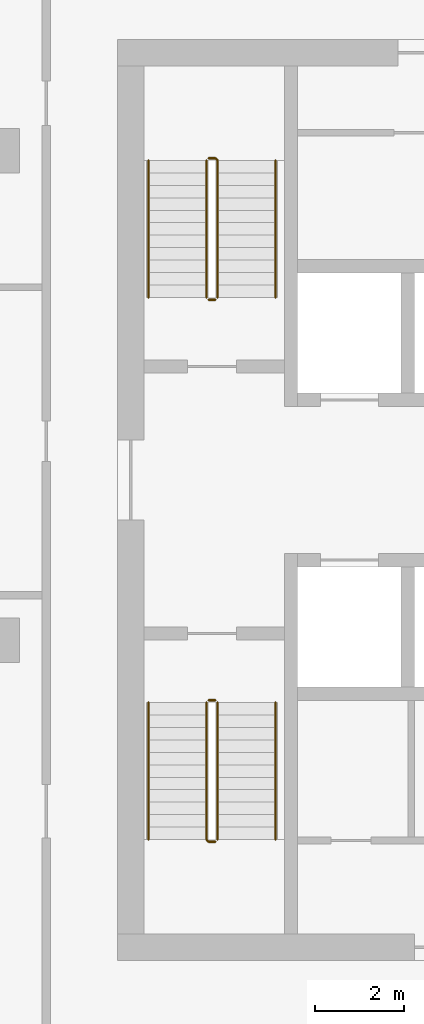
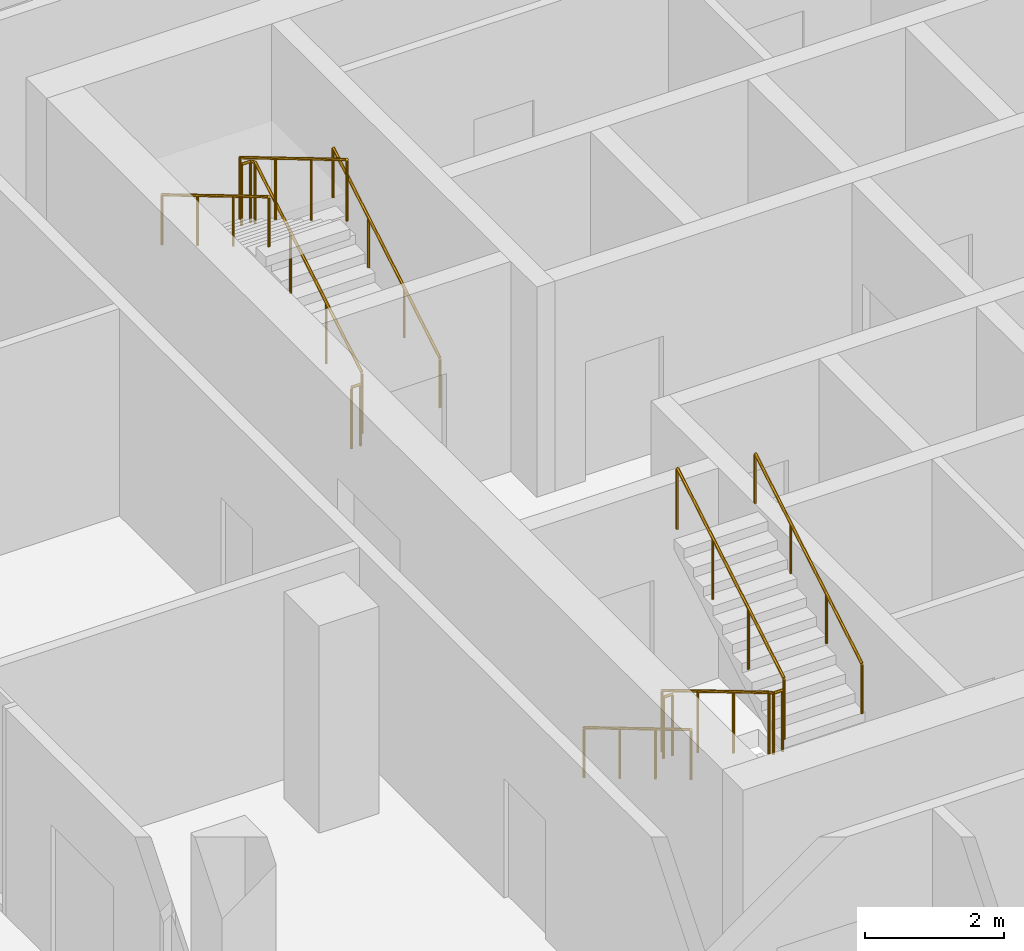
# One storey, part 10 of 12: 10 railings.
"""IFC4 building model written with IfcOpenShell, lengths in metres."""

from ifc_helpers import new_model, si_unit, direction, frame, origin, origin_2d, place, context, subcontext, project, spatial, circle, extrude, material, type_object, element, save


model = new_model("IFC4")

# Units and contexts
model_context = context("Model", 3, precision=1e-05, world=origin(), true_north=direction((0.0, 1.0)))
body_context = subcontext(model_context, "Body", "Model", "MODEL_VIEW")
ifc_project = project(units=[si_unit("LENGTHUNIT", "METRE"), si_unit("AREAUNIT", "SQUARE_METRE"), si_unit("VOLUMEUNIT", "CUBIC_METRE"), si_unit("PLANEANGLEUNIT", "RADIAN"), si_unit("MASSUNIT", "GRAM", prefix="KILO")], contexts=[model_context])

# Site, building, storey
site_placement = place(None, origin())
site = spatial("IfcSite", under=ifc_project, at=site_placement, CompositionType="ELEMENT")
building_placement = place(site_placement, origin())
building = spatial("IfcBuilding", under=site, at=building_placement, Name="Mopane Tessera Tower", CompositionType="ELEMENT")
storey_placement = place(building_placement, frame((0.0, 0.0, 349.39990234375)))
storey = spatial("IfcBuildingStorey", under=building, at=storey_placement, Name="L76", CompositionType="ELEMENT", Elevation=349.39990234375)

# Railings
ifc_material_1 = material(Name="Powder-coated steel balustrade", Category="steel")
railing_type_1 = type_object("IfcRailingType", Name="Escape stair guard 1100 mm", PredefinedType="GUARDRAIL", material=ifc_material_1)
railing_1_placement = place(storey_placement, frame((-12.39990234375, -1.39990234375, 0.166748046875)))
element("IfcRailing", 1, at=railing_1_placement, inside=storey, type_object=railing_type_1, Name="L76 ST1 stair guard 1", PredefinedType="GUARDRAIL", context=body_context, shape_type="SweptSolid", body=[
    extrude(circle(Radius=0.02392578125, at=origin_2d()), frame((0.0, 0.0, 1.076171875), z_axis=(0.0, -0.859308565015, 0.511457515432), x_axis=(1.0, 0.0, 0.0)), (0.0, 0.0, 1.0), 3.58447265625),
    extrude(circle(Radius=0.02392578125, at=origin_2d()), frame((0.0, -3.080078125, 2.9091796875), z_axis=(0.705375805398, -0.708833529934, 0.0), x_axis=(0.708833529934, 0.705375805398, 0.0)), (0.0, 0.0, 1.0), 0.070556640625),
    extrude(circle(Radius=0.02392578125, at=origin_2d()), frame((0.0498046875, -3.130126953125, 2.9091796875), z_axis=(1.0, 0.0, 0.0), x_axis=(0.0, 1.0, 0.0)), (0.0, 0.0, 1.0), 0.150146484375),
    extrude(circle(Radius=0.02099609375, at=origin_2d()), origin(), (0.0, 0.0, 1.0), 1.052001953125),
    extrude(circle(Radius=0.02099609375, at=origin_2d()), frame((0.0, -1.026611328125, 0.611083984375)), (0.0, 0.0, 1.0), 1.052001953125),
    extrude(circle(Radius=0.02099609375, at=origin_2d()), frame((0.0, -2.053466796875, 1.22216796875)), (0.0, 0.0, 1.0), 1.052001953125),
    extrude(circle(Radius=0.02099609375, at=origin_2d()), frame((0.0, -3.080078125, 1.833251953125)), (0.0, 0.0, 1.0), 1.052001953125),
    extrude(circle(Radius=0.02099609375, at=origin_2d()), frame((0.0498046875, -3.130126953125, 1.833251953125)), (0.0, 0.0, 1.0), 1.052001953125),
    extrude(circle(Radius=0.02099609375, at=origin_2d()), frame((0.199951171875, -3.130126953125, 1.833251953125)), (0.0, 0.0, 1.0), 1.052001953125),
])
railing_2_placement = place(storey_placement, frame((-12.14990234375, -4.47998046875, 2.166748046875)))
element("IfcRailing", 2, at=railing_2_placement, inside=storey, type_object=railing_type_1, Name="L76 ST1 stair guard 2", PredefinedType="GUARDRAIL", context=body_context, shape_type="SweptSolid", body=[
    extrude(circle(Radius=0.02392578125, at=origin_2d()), frame((0.0, 0.0, 1.076171875), z_axis=(0.0, 0.859308565015, 0.511457515432), x_axis=(-1.0, 0.0, 0.0)), (0.0, 0.0, 1.0), 3.58447265625),
    extrude(circle(Radius=0.02099609375, at=origin_2d()), origin(), (0.0, 0.0, 1.0), 1.052001953125),
    extrude(circle(Radius=0.02099609375, at=origin_2d()), frame((0.0, 1.026611328125, 0.611083984375)), (0.0, 0.0, 1.0), 1.052001953125),
    extrude(circle(Radius=0.02099609375, at=origin_2d()), frame((0.0, 2.053466796875, 1.22216796875)), (0.0, 0.0, 1.0), 1.052001953125),
    extrude(circle(Radius=0.02099609375, at=origin_2d()), frame((0.0, 3.080078125, 1.833251953125)), (0.0, 0.0, 1.0), 1.052001953125),
])
railing_3_placement = place(storey_placement, frame((-12.35009765625, -1.35009765625, 0.0)))
element("IfcRailing", 3, at=railing_3_placement, inside=storey, type_object=railing_type_1, Name="L76 ST1 stair guard 3", PredefinedType="GUARDRAIL", context=body_context, shape_type="SweptSolid", body=[
    extrude(circle(Radius=0.02392578125, at=origin_2d()), frame((0.0, 0.0, 1.076171875), z_axis=(1.0, 0.0, 0.0), x_axis=(0.0, 1.0, 0.0)), (0.0, 0.0, 1.0), 0.150146484375),
    extrude(circle(Radius=0.02099609375, at=origin_2d()), origin(), (0.0, 0.0, 1.0), 1.052001953125),
    extrude(circle(Radius=0.02099609375, at=origin_2d()), frame((0.150146484375, 0.0, 0.0)), (0.0, 0.0, 1.0), 1.052001953125),
])
railing_4_placement = place(storey_placement, frame((-12.14990234375, 7.699951171875, 0.166748046875)))
element("IfcRailing", 4, at=railing_4_placement, inside=storey, type_object=railing_type_1, Name="L76 ST2 stair guard 1", PredefinedType="GUARDRAIL", context=body_context, shape_type="SweptSolid", body=[
    extrude(circle(Radius=0.02392578125, at=origin_2d()), frame((0.0, 0.0, 1.076171875), z_axis=(0.0, 0.859308565015, 0.511457515432), x_axis=(-1.0, 0.0, 0.0)), (0.0, 0.0, 1.0), 3.58447265625),
    extrude(circle(Radius=0.02392578125, at=origin_2d()), frame((0.0, 3.080078125, 2.9091796875), z_axis=(-0.707106781187, 0.707106781187, 0.0), x_axis=(-0.707106781187, -0.707106781187, 0.0)), (0.0, 0.0, 1.0), 0.07080078125),
    extrude(circle(Radius=0.02392578125, at=origin_2d()), frame((-0.050048828125, 3.130126953125, 2.9091796875), z_axis=(-1.0, 0.0, 0.0), x_axis=(0.0, -1.0, 0.0)), (0.0, 0.0, 1.0), 0.150146484375),
    extrude(circle(Radius=0.02099609375, at=origin_2d()), origin(), (0.0, 0.0, 1.0), 1.052001953125),
    extrude(circle(Radius=0.02099609375, at=origin_2d()), frame((0.0, 1.026611328125, 0.611083984375)), (0.0, 0.0, 1.0), 1.052001953125),
    extrude(circle(Radius=0.02099609375, at=origin_2d()), frame((0.0, 2.053466796875, 1.22216796875)), (0.0, 0.0, 1.0), 1.052001953125),
    extrude(circle(Radius=0.02099609375, at=origin_2d()), frame((0.0, 3.080078125, 1.833251953125)), (0.0, 0.0, 1.0), 1.052001953125),
    extrude(circle(Radius=0.02099609375, at=origin_2d()), frame((-0.050048828125, 3.130126953125, 1.833251953125)), (0.0, 0.0, 1.0), 1.052001953125),
    extrude(circle(Radius=0.02099609375, at=origin_2d()), frame((-0.2001953125, 3.130126953125, 1.833251953125)), (0.0, 0.0, 1.0), 1.052001953125),
])
railing_5_placement = place(storey_placement, frame((-12.39990234375, 10.780029296875, 2.166748046875)))
element("IfcRailing", 5, at=railing_5_placement, inside=storey, type_object=railing_type_1, Name="L76 ST2 stair guard 2", PredefinedType="GUARDRAIL", context=body_context, shape_type="SweptSolid", body=[
    extrude(circle(Radius=0.02392578125, at=origin_2d()), frame((0.0, 0.0, 1.076171875), z_axis=(0.0, -0.859308565015, 0.511457515432), x_axis=(1.0, 0.0, 0.0)), (0.0, 0.0, 1.0), 3.58447265625),
    extrude(circle(Radius=0.02099609375, at=origin_2d()), origin(), (0.0, 0.0, 1.0), 1.052001953125),
    extrude(circle(Radius=0.02099609375, at=origin_2d()), frame((0.0, -1.026611328125, 0.611083984375)), (0.0, 0.0, 1.0), 1.052001953125),
    extrude(circle(Radius=0.02099609375, at=origin_2d()), frame((0.0, -2.053466796875, 1.22216796875)), (0.0, 0.0, 1.0), 1.052001953125),
    extrude(circle(Radius=0.02099609375, at=origin_2d()), frame((0.0, -3.080078125, 1.833251953125)), (0.0, 0.0, 1.0), 1.052001953125),
])
railing_6_placement = place(storey_placement, frame((-12.199951171875, 7.64990234375, 0.0)))
element("IfcRailing", 6, at=railing_6_placement, inside=storey, type_object=railing_type_1, Name="L76 ST2 stair guard 3", PredefinedType="GUARDRAIL", context=body_context, shape_type="SweptSolid", body=[
    extrude(circle(Radius=0.02392578125, at=origin_2d()), frame((0.0, 0.0, 1.076171875), z_axis=(-1.0, 0.0, 0.0), x_axis=(0.0, -1.0, 0.0)), (0.0, 0.0, 1.0), 0.150146484375),
    extrude(circle(Radius=0.02099609375, at=origin_2d()), origin(), (0.0, 0.0, 1.0), 1.052001953125),
    extrude(circle(Radius=0.02099609375, at=origin_2d()), frame((-0.150146484375, 0.0, 0.0)), (0.0, 0.0, 1.0), 1.052001953125),
])
ifc_material_2 = material(Name="Powder-coated steel balustrade", Category="steel")
railing_type_2 = type_object("IfcRailingType", Name="Escape stair handrail 900 mm", PredefinedType="HANDRAIL", material=ifc_material_2)
railing_7_placement = place(storey_placement, frame((-13.699951171875, -1.39990234375, 0.166748046875)))
element("IfcRailing", 7, at=railing_7_placement, inside=storey, type_object=railing_type_2, Name="L76 ST1 stair handrail 1", PredefinedType="HANDRAIL", context=body_context, shape_type="SweptSolid", body=[
    extrude(circle(Radius=0.02392578125, at=origin_2d()), frame((0.0, 0.0, 0.8759765625), z_axis=(0.0, -0.859308565015, 0.511457515432), x_axis=(1.0, 0.0, 0.0)), (0.0, 0.0, 1.0), 3.58447265625),
    extrude(circle(Radius=0.02099609375, at=origin_2d()), origin(), (0.0, 0.0, 1.0), 0.851806640625),
    extrude(circle(Radius=0.02099609375, at=origin_2d()), frame((0.0, -1.026611328125, 0.611083984375)), (0.0, 0.0, 1.0), 0.851806640625),
    extrude(circle(Radius=0.02099609375, at=origin_2d()), frame((0.0, -2.053466796875, 1.22216796875)), (0.0, 0.0, 1.0), 0.851806640625),
    extrude(circle(Radius=0.02099609375, at=origin_2d()), frame((0.0, -3.080078125, 1.833251953125)), (0.0, 0.0, 1.0), 0.851806640625),
])
for number, where, name in (
    (8, (-10.85009765625, -4.47998046875, 2.166748046875), "L76 ST1 stair handrail 2"),
    (9, (-10.85009765625, 7.699951171875, 0.166748046875), "L76 ST2 stair handrail 1"),
):
    element("IfcRailing", number, at=place(storey_placement, frame(where)), inside=storey, type_object=railing_type_2, Name=name, PredefinedType="HANDRAIL", context=body_context, shape_type="SweptSolid", body=[
        extrude(circle(Radius=0.02392578125, at=origin_2d()), frame((0.0, 0.0, 0.8759765625), z_axis=(0.0, 0.859308565015, 0.511457515432), x_axis=(-1.0, 0.0, 0.0)), (0.0, 0.0, 1.0), 3.58447265625),
        extrude(circle(Radius=0.02099609375, at=origin_2d()), origin(), (0.0, 0.0, 1.0), 0.851806640625),
        extrude(circle(Radius=0.02099609375, at=origin_2d()), frame((0.0, 1.026611328125, 0.611083984375)), (0.0, 0.0, 1.0), 0.851806640625),
        extrude(circle(Radius=0.02099609375, at=origin_2d()), frame((0.0, 2.053466796875, 1.22216796875)), (0.0, 0.0, 1.0), 0.851806640625),
        extrude(circle(Radius=0.02099609375, at=origin_2d()), frame((0.0, 3.080078125, 1.833251953125)), (0.0, 0.0, 1.0), 0.851806640625),
    ])
railing_8_placement = place(storey_placement, frame((-13.699951171875, 10.780029296875, 2.166748046875)))
element("IfcRailing", 10, at=railing_8_placement, inside=storey, type_object=railing_type_2, Name="L76 ST2 stair handrail 2", PredefinedType="HANDRAIL", context=body_context, shape_type="SweptSolid", body=[
    extrude(circle(Radius=0.02392578125, at=origin_2d()), frame((0.0, 0.0, 0.8759765625), z_axis=(0.0, -0.859308565015, 0.511457515432), x_axis=(1.0, 0.0, 0.0)), (0.0, 0.0, 1.0), 3.58447265625),
    extrude(circle(Radius=0.02099609375, at=origin_2d()), origin(), (0.0, 0.0, 1.0), 0.851806640625),
    extrude(circle(Radius=0.02099609375, at=origin_2d()), frame((0.0, -1.026611328125, 0.611083984375)), (0.0, 0.0, 1.0), 0.851806640625),
    extrude(circle(Radius=0.02099609375, at=origin_2d()), frame((0.0, -2.053466796875, 1.22216796875)), (0.0, 0.0, 1.0), 0.851806640625),
    extrude(circle(Radius=0.02099609375, at=origin_2d()), frame((0.0, -3.080078125, 1.833251953125)), (0.0, 0.0, 1.0), 0.851806640625),
])

save(model, "model.ifc")
